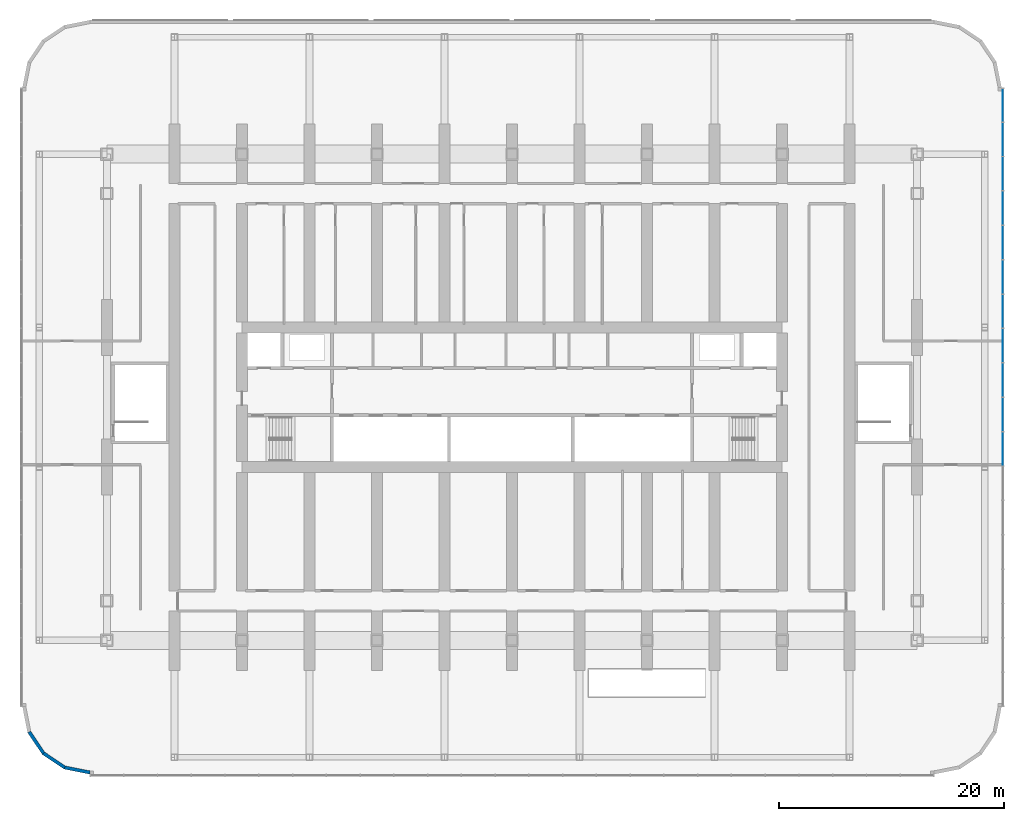
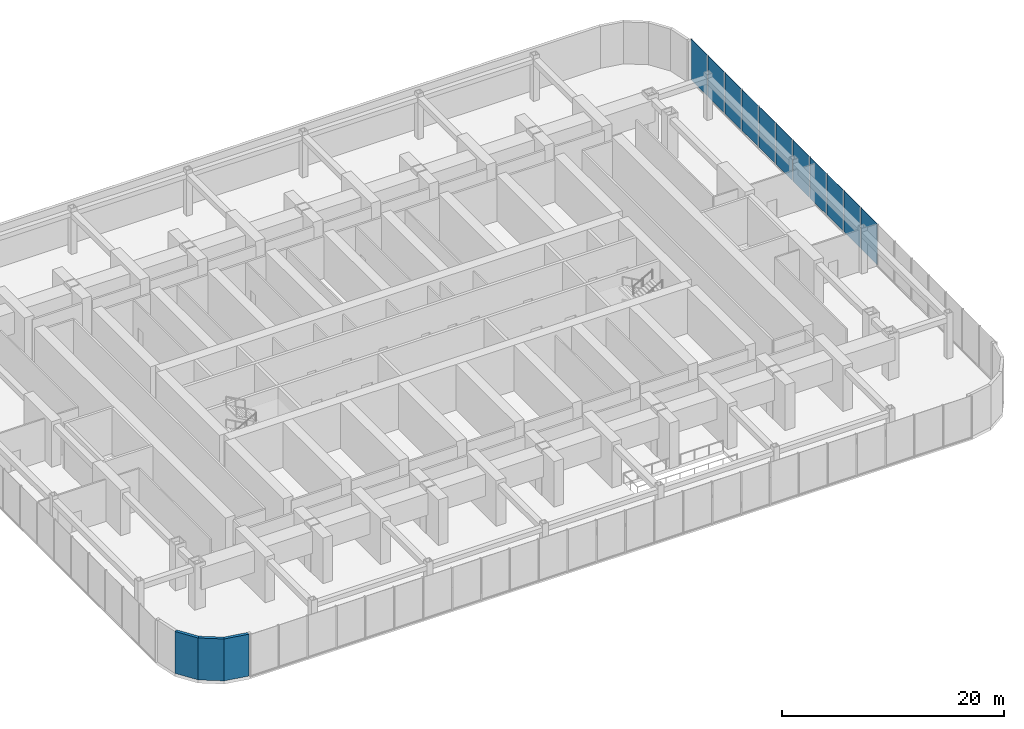
# One storey, part 11 of 26: 11 plates, 3 walls, 1 element without a shape of its own.
"""IFC4 building model written with IfcOpenShell, lengths in metres."""

from ifc_helpers import new_model, si_unit, direction, frame, origin, origin_2d, place, context, subcontext, project, spatial, polyline, rectangle, outline, extrude, material, layer, layer_set, type_object, element, aggregate, save


model = new_model("IFC4")

# Units and contexts
model_context = context("Model", 3, precision=1e-05, world=origin(), true_north=direction((0.0, 1.0)))
body_context = subcontext(model_context, "Body", "Model", "MODEL_VIEW")
ifc_project = project(units=[si_unit("LENGTHUNIT", "METRE"), si_unit("AREAUNIT", "SQUARE_METRE"), si_unit("VOLUMEUNIT", "CUBIC_METRE"), si_unit("PLANEANGLEUNIT", "RADIAN"), si_unit("MASSUNIT", "GRAM", prefix="KILO")], contexts=[model_context])

# Site, building, storey
site_placement = place(None, origin())
site = spatial("IfcSite", under=ifc_project, at=site_placement, CompositionType="ELEMENT")
building_placement = place(site_placement, origin())
building = spatial("IfcBuilding", under=site, at=building_placement, Name="Orbita Commons", CompositionType="ELEMENT")
storey_placement = place(building_placement, frame((0.0, 0.0, 11.0)))
storey = spatial("IfcBuildingStorey", under=building, at=storey_placement, Name="L02", CompositionType="ELEMENT", Elevation=11.0)

# Curtain wall, plates
ifc_material_1 = material(Name="Anodised aluminium frame, pale silver", Category="aluminium")
curtain_wall_type = type_object("IfcCurtainWallType", Name="Podium storefront curtain wall CW-P", PredefinedType="NOTDEFINED", material=ifc_material_1)
curtain_wall_placement = place(storey_placement, origin())
curtain_wall = element("IfcCurtainWall", 1, at=curtain_wall_placement, inside=storey, type_object=curtain_wall_type, Name="Curtain wall E 1 L02", PredefinedType="NOTDEFINED")
ifc_material_2 = material(Name="Clear double glazing", Category="glass")
ifc_layer_1 = layer(ifc_material_2, 0.031982421875)
ifc_layer_set_1 = layer_set([ifc_layer_1], Name="Clear double glazing")
plate_type = type_object("IfcPlateType", Name="Storefront panel, clear glazing 32", PredefinedType="CURTAIN_PANEL", material=ifc_layer_set_1)
plate_1_placement = place(storey_placement, frame((85.610107421875, 27.416748046875, 0.10009765625), z_axis=(0.0, 0.0, 1.0), x_axis=(0.0, 1.0, 0.0)))
plate_1 = element("IfcPlate", 2, at=plate_1_placement, type_object=plate_type, Name="Panel 8.1 CW-L02-E0", PredefinedType="CURTAIN_PANEL", context=body_context, shape_type="SweptSolid", body=[
    extrude(rectangle(XDim=2.9755859375, YDim=0.031982421875, at=origin_2d()), origin(), (0.0, 0.0, 1.0), 4.5),
])
plate_2_placement = place(storey_placement, frame((85.610107421875, 30.47216796875, 0.10009765625), z_axis=(0.0, 0.0, 1.0), x_axis=(0.0, 1.0, 0.0)))
plate_2 = element("IfcPlate", 3, at=plate_2_placement, type_object=plate_type, Name="Panel 9.1 CW-L02-E0", PredefinedType="CURTAIN_PANEL", context=body_context, shape_type="SweptSolid", body=[
    extrude(rectangle(XDim=2.9755859375, YDim=0.031982421875, at=origin_2d()), origin(), (0.0, 0.0, 1.0), 4.5),
])
plate_3_placement = place(storey_placement, frame((85.610107421875, 33.52783203125, 0.10009765625), z_axis=(0.0, 0.0, 1.0), x_axis=(0.0, 1.0, 0.0)))
plate_3 = element("IfcPlate", 4, at=plate_3_placement, type_object=plate_type, Name="Panel 10.1 CW-L02-E0", PredefinedType="CURTAIN_PANEL", context=body_context, shape_type="SweptSolid", body=[
    extrude(rectangle(XDim=2.9755859375, YDim=0.031982421875, at=origin_2d()), origin(), (0.0, 0.0, 1.0), 4.5),
])
plate_4_placement = place(storey_placement, frame((85.610107421875, 36.583251953125, 0.10009765625), z_axis=(0.0, 0.0, 1.0), x_axis=(0.0, 1.0, 0.0)))
plate_4 = element("IfcPlate", 5, at=plate_4_placement, type_object=plate_type, Name="Panel 11.1 CW-L02-E0", PredefinedType="CURTAIN_PANEL", context=body_context, shape_type="SweptSolid", body=[
    extrude(rectangle(XDim=2.9755859375, YDim=0.031982421875, at=origin_2d()), origin(), (0.0, 0.0, 1.0), 4.5),
])
plate_5_placement = place(storey_placement, frame((85.610107421875, 39.638916015625, 0.10009765625), z_axis=(0.0, 0.0, 1.0), x_axis=(0.0, 1.0, 0.0)))
plate_5 = element("IfcPlate", 6, at=plate_5_placement, type_object=plate_type, Name="Panel 12.1 CW-L02-E0", PredefinedType="CURTAIN_PANEL", context=body_context, shape_type="SweptSolid", body=[
    extrude(rectangle(XDim=2.9755859375, YDim=0.031982421875, at=origin_2d()), origin(), (0.0, 0.0, 1.0), 4.5),
])
plate_6_placement = place(storey_placement, frame((85.610107421875, 42.6943359375, 0.10009765625), z_axis=(0.0, 0.0, 1.0), x_axis=(0.0, 1.0, 0.0)))
plate_6 = element("IfcPlate", 7, at=plate_6_placement, type_object=plate_type, Name="Panel 13.1 CW-L02-E0", PredefinedType="CURTAIN_PANEL", context=body_context, shape_type="SweptSolid", body=[
    extrude(rectangle(XDim=2.9755859375, YDim=0.031982421875, at=origin_2d()), origin(), (0.0, 0.0, 1.0), 4.5),
])
plate_7_placement = place(storey_placement, frame((85.610107421875, 45.75, 0.10009765625), z_axis=(0.0, 0.0, 1.0), x_axis=(0.0, 1.0, 0.0)))
plate_7 = element("IfcPlate", 8, at=plate_7_placement, type_object=plate_type, Name="Panel 14.1 CW-L02-E0", PredefinedType="CURTAIN_PANEL", context=body_context, shape_type="SweptSolid", body=[
    extrude(rectangle(XDim=2.9755859375, YDim=0.031982421875, at=origin_2d()), origin(), (0.0, 0.0, 1.0), 4.5),
])
plate_8_placement = place(storey_placement, frame((85.610107421875, 48.8056640625, 0.10009765625), z_axis=(0.0, 0.0, 1.0), x_axis=(0.0, 1.0, 0.0)))
plate_8 = element("IfcPlate", 9, at=plate_8_placement, type_object=plate_type, Name="Panel 15.1 CW-L02-E0", PredefinedType="CURTAIN_PANEL", context=body_context, shape_type="SweptSolid", body=[
    extrude(rectangle(XDim=2.9755859375, YDim=0.031982421875, at=origin_2d()), origin(), (0.0, 0.0, 1.0), 4.5),
])
plate_9_placement = place(storey_placement, frame((85.610107421875, 51.861083984375, 0.10009765625), z_axis=(0.0, 0.0, 1.0), x_axis=(0.0, 1.0, 0.0)))
plate_9 = element("IfcPlate", 10, at=plate_9_placement, type_object=plate_type, Name="Panel 16.1 CW-L02-E0", PredefinedType="CURTAIN_PANEL", context=body_context, shape_type="SweptSolid", body=[
    extrude(rectangle(XDim=2.9755859375, YDim=0.031982421875, at=origin_2d()), origin(), (0.0, 0.0, 1.0), 4.5),
])
plate_10_placement = place(storey_placement, frame((85.610107421875, 54.916748046875, 0.10009765625), z_axis=(0.0, 0.0, 1.0), x_axis=(0.0, 1.0, 0.0)))
plate_10 = element("IfcPlate", 11, at=plate_10_placement, type_object=plate_type, Name="Panel 17.1 CW-L02-E0", PredefinedType="CURTAIN_PANEL", context=body_context, shape_type="SweptSolid", body=[
    extrude(rectangle(XDim=2.9755859375, YDim=0.031982421875, at=origin_2d()), origin(), (0.0, 0.0, 1.0), 4.5),
])
plate_11_placement = place(storey_placement, frame((85.610107421875, 57.9521484375, 0.10009765625), z_axis=(0.0, 0.0, 1.0), x_axis=(0.0, 1.0, 0.0)))
plate_11 = element("IfcPlate", 12, at=plate_11_placement, type_object=plate_type, Name="Panel 18.1 CW-L02-E0", PredefinedType="CURTAIN_PANEL", context=body_context, shape_type="SweptSolid", body=[
    extrude(rectangle(XDim=2.935546875, YDim=0.031982421875, at=origin_2d()), origin(), (0.0, 0.0, 1.0), 4.5),
])
aggregate(curtain_wall, [plate_1, plate_2, plate_3, plate_4, plate_5, plate_6, plate_7, plate_8, plate_9, plate_10, plate_11])

# Walls
ifc_material_3 = material(Name="Precast concrete C40/50, white board-marked finish", Category="concrete")
ifc_layer_2 = layer(ifc_material_3, 0.300048828125)
ifc_layer_set_2 = layer_set([ifc_layer_2], Name="Precast concrete C40/50, white board-marked finish")
wall_type = type_object("IfcWallType", Name="Precast concrete end shield 300", PredefinedType="SOLIDWALL", material=ifc_layer_set_2)
for number, where, z_axis, x_axis, name in (
    (13, (-0.90478515625, 2.26123046875, 0.0), (0.0, 0.0, 1.0), (0.555539121903, -0.831490399244, 0.0), "Podium corner wall SW 2 L02"),
    (14, (0.36328125, 0.36328125, 0.0), (0.0, 0.0, 1.0), (0.831490399244, -0.555539121903, 0.0), "Podium corner wall SW 3 L02"),
):
    element("IfcWall", number, at=place(storey_placement, frame(where, z_axis=z_axis, x_axis=x_axis)), inside=storey, type_object=wall_type, Name=name, PredefinedType="SOLIDWALL", context=body_context, shape_type="SweptSolid", body=[
        extrude(outline(polyline([(-0.02978515625, -0.14990234375), (2.312255859375, -0.14990234375), (2.252685546875, 0.14990234375), (0.02978515625, 0.14990234375), (-0.02978515625, -0.14990234375)])), origin(), (0.0, 0.0, 1.0), 4.60009765625),
    ])
wall_placement = place(storey_placement, frame((2.26123046875, -0.90478515625, 0.0), z_axis=(0.0, 0.0, 1.0), x_axis=(0.98078582086, -0.195087604935, 0.0)))
element("IfcWall", 15, at=wall_placement, inside=storey, type_object=wall_type, Name="Podium corner wall SW 4 L02", PredefinedType="SOLIDWALL", context=body_context, shape_type="SweptSolid", body=[
    extrude(outline(polyline([(-0.02978515625, -0.14990234375), (2.3125, -0.14990234375), (2.2529296875, 0.14990234375), (0.02978515625, 0.14990234375), (-0.02978515625, -0.14990234375)])), origin(), (0.0, 0.0, 1.0), 4.60009765625),
])

save(model, "model.ifc")
